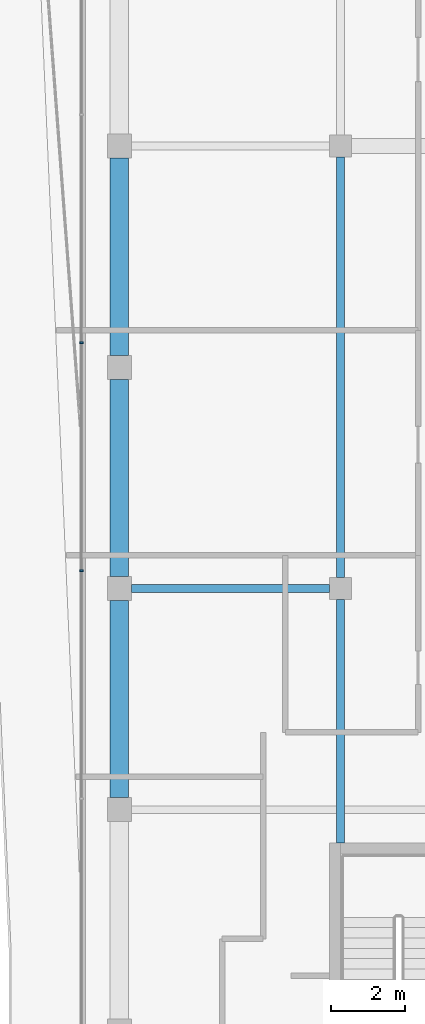
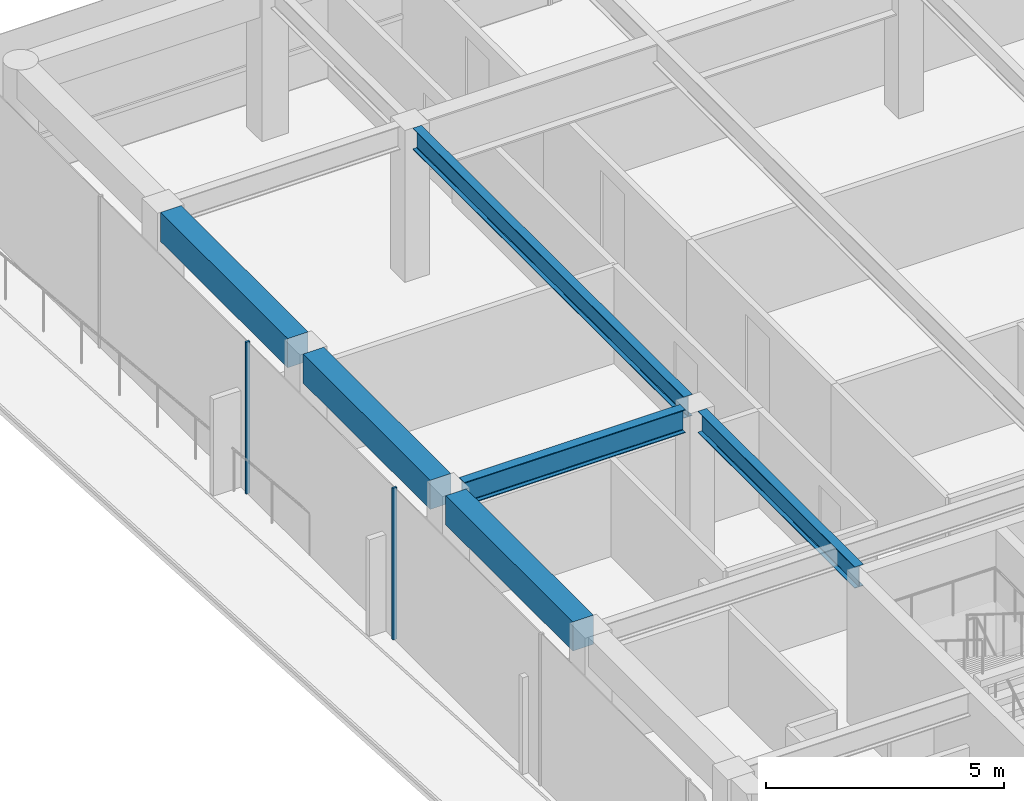
# One storey, part 7 of 19: 6 beams, 2 members, 1 element without a shape of its own.
"""IFC4 building model written with IfcOpenShell, lengths in metres."""

from ifc_helpers import new_model, si_unit, direction, frame, origin, origin_2d, place, context, subcontext, project, spatial, rectangle, i_section, extrude, material, layer, layer_set, material_profile, profile_set, type_object, element, aggregate, save


model = new_model("IFC4")

# Units and contexts
model_context = context("Model", 3, precision=1e-05, world=origin(), true_north=direction((0.0, 1.0)))
body_context = subcontext(model_context, "Body", "Model", "MODEL_VIEW")
ifc_project = project(units=[si_unit("LENGTHUNIT", "METRE"), si_unit("AREAUNIT", "SQUARE_METRE"), si_unit("VOLUMEUNIT", "CUBIC_METRE"), si_unit("PLANEANGLEUNIT", "RADIAN"), si_unit("MASSUNIT", "GRAM", prefix="KILO")], contexts=[model_context])

# Site, building, storey
site_placement = place(None, origin())
site = spatial("IfcSite", under=ifc_project, at=site_placement, CompositionType="ELEMENT")
building_placement = place(site_placement, origin())
building = spatial("IfcBuilding", under=site, at=building_placement, Name="Welwitschia Terrace Campus", CompositionType="ELEMENT")
storey_placement = place(building_placement, frame((0.0, 0.0, 323.0)))
storey = spatial("IfcBuildingStorey", under=building, at=storey_placement, Name="L72", CompositionType="ELEMENT", Elevation=323.0)

# Beams
ifc_material_1 = material(Name="Steel S355", Category="steel")
ifc_material_profile_1 = material_profile(ifc_material_1, i_section(OverallWidth=0.2099609375, OverallDepth=0.550048828125, WebThickness=0.010986328125, FlangeThickness=0.01708984375, FilletRadius=0.02392578125, at=origin_2d()))
ifc_profile_set_1 = profile_set([ifc_material_profile_1], Name="Steel S355")
beam_type_1 = type_object("IfcBeamType", Name="Interior girder IPE 550", PredefinedType="BEAM", material=ifc_profile_set_1)
beam_1_placement = place(storey_placement, frame((6.0, 25.10107421875, 3.625), z_axis=(0.0, 1.0, 0.0), x_axis=(-1.0, 0.0, 0.0)))
element("IfcBeam", 1, at=beam_1_placement, inside=storey, type_object=beam_type_1, Name="Girder GB7", PredefinedType="BEAM", context=body_context, shape_type="SweptSolid", body=[
    extrude(i_section(OverallWidth=0.2099609375, OverallDepth=0.550048828125, WebThickness=0.010986328125, FlangeThickness=0.01708984375, FilletRadius=0.02392578125, at=origin_2d()), origin(), (0.0, 0.0, 1.0), 6.598388671875),
])
beam_2_placement = place(storey_placement, frame((6.0, 32.300537109375, 3.625), z_axis=(0.0, 1.0, 0.0), x_axis=(-1.0, 0.0, 0.0)))
element("IfcBeam", 2, at=beam_2_placement, inside=storey, type_object=beam_type_1, Name="Girder GB7", PredefinedType="BEAM", context=body_context, shape_type="SweptSolid", body=[
    extrude(i_section(OverallWidth=0.2099609375, OverallDepth=0.550048828125, WebThickness=0.010986328125, FlangeThickness=0.01708984375, FilletRadius=0.02392578125, at=origin_2d()), origin(), (0.0, 0.0, 1.0), 11.39892578125),
])

# Curtain wall, members
ifc_material_2 = material(Name="Bronze anodised aluminium", Category="aluminium")
ifc_layer = layer(ifc_material_2, 0.10009765625)
ifc_layer_set = layer_set([ifc_layer], Name="Bronze anodised aluminium")
curtain_wall_type = type_object("IfcCurtainWallType", Name="Curtain wall CW5 crown 6000", PredefinedType="NOTDEFINED", material=ifc_layer_set)
curtain_wall_placement = place(storey_placement, origin())
curtain_wall = element("IfcCurtainWall", 3, at=curtain_wall_placement, inside=storey, type_object=curtain_wall_type, Name="CW L72.9.0", PredefinedType="NOTDEFINED")
ifc_material_3 = material(Name="Bronze anodised aluminium", Category="aluminium")
ifc_material_profile_2 = material_profile(ifc_material_3, rectangle(XDim=0.10009765625, YDim=0.050048828125, at=origin_2d()))
ifc_profile_set_2 = profile_set([ifc_material_profile_2], Name="Bronze anodised aluminium")
member_type = type_object("IfcMemberType", Name="Mullion 50x100", PredefinedType="MULLION", material=ifc_profile_set_2)
member_1_placement = place(storey_placement, frame((-1.030029296875, 38.665771484375, 0.0), z_axis=(0.0, 0.0, 1.0), x_axis=(1.0, 0.0, 0.0)))
member_1 = element("IfcMember", 4, at=member_1_placement, type_object=member_type, Name="Mullion L72.9.0.2", PredefinedType="MULLION", context=body_context, shape_type="SweptSolid", body=[
    extrude(rectangle(XDim=0.10009765625, YDim=0.050048828125, at=origin_2d()), origin(), (0.0, 0.0, 1.0), 3.89990234375),
])
member_2_placement = place(storey_placement, frame((-1.030029296875, 32.483642578125, 0.0), z_axis=(0.0, 0.0, 1.0), x_axis=(1.0, 0.0, 0.0)))
member_2 = element("IfcMember", 5, at=member_2_placement, type_object=member_type, Name="Mullion L72.9.0.3", PredefinedType="MULLION", context=body_context, shape_type="SweptSolid", body=[
    extrude(rectangle(XDim=0.10009765625, YDim=0.050048828125, at=origin_2d()), origin(), (0.0, 0.0, 1.0), 3.89990234375),
])
aggregate(curtain_wall, [member_1, member_2])

# Beams
ifc_material_4 = material(Name="Steel S355", Category="steel")
ifc_material_profile_3 = material_profile(ifc_material_4, i_section(OverallWidth=0.219970703125, OverallDepth=0.60009765625, WebThickness=0.011962890625, FlangeThickness=0.01904296875, FilletRadius=0.02392578125, at=origin_2d()))
ifc_profile_set_3 = profile_set([ifc_material_profile_3], Name="Steel S355")
beam_type_2 = type_object("IfcBeamType", Name="Primary beam IPE 600", PredefinedType="BEAM", material=ifc_profile_set_3)
beam_3_placement = place(storey_placement, frame((0.325439453125, 32.0, 3.60009765625), z_axis=(1.0, 0.0, 0.0), x_axis=(0.0, 1.0, 0.0)))
element("IfcBeam", 6, at=beam_3_placement, inside=storey, type_object=beam_type_2, Name="Primary beam PB7", PredefinedType="BEAM", context=body_context, shape_type="SweptSolid", body=[
    extrude(i_section(OverallWidth=0.219970703125, OverallDepth=0.60009765625, WebThickness=0.011962890625, FlangeThickness=0.01904296875, FilletRadius=0.02392578125, at=origin_2d()), origin(), (0.0, 0.0, 1.0), 5.3740234375),
])
ifc_material_5 = material(Name="Concrete C40/50", Category="concrete")
ifc_material_profile_4 = material_profile(ifc_material_5, rectangle(XDim=0.5, YDim=0.75, at=origin_2d()))
ifc_profile_set_4 = profile_set([ifc_material_profile_4], Name="Concrete C40/50")
beam_type_3 = type_object("IfcBeamType", Name="Ring spandrel 500x750", PredefinedType="SPANDREL", material=ifc_profile_set_4)
for number, where, z_axis, x_axis, name in (
    (7, (0.0, 43.674560546875, 3.52490234375), (0.0, -1.0, 0.0), (1.0, 0.0, 0.0), "Spandrel SP5"),
    (8, (0.0, 37.674560546875, 3.52490234375), (0.0, -1.0, 0.0), (1.0, 0.0, 0.0), "Spandrel SP5"),
    (9, (0.0, 31.674560546875, 3.52490234375), (0.0, -1.0, 0.0), (1.0, 0.0, 0.0), "Spandrel SP5"),
):
    element("IfcBeam", number, at=place(storey_placement, frame(where, z_axis=z_axis, x_axis=x_axis)), inside=storey, type_object=beam_type_3, Name=name, PredefinedType="SPANDREL", context=body_context, shape_type="SweptSolid", body=[
        extrude(rectangle(XDim=0.5, YDim=0.75, at=origin_2d()), origin(), (0.0, 0.0, 1.0), 5.34912109375),
    ])

save(model, "model.ifc")
